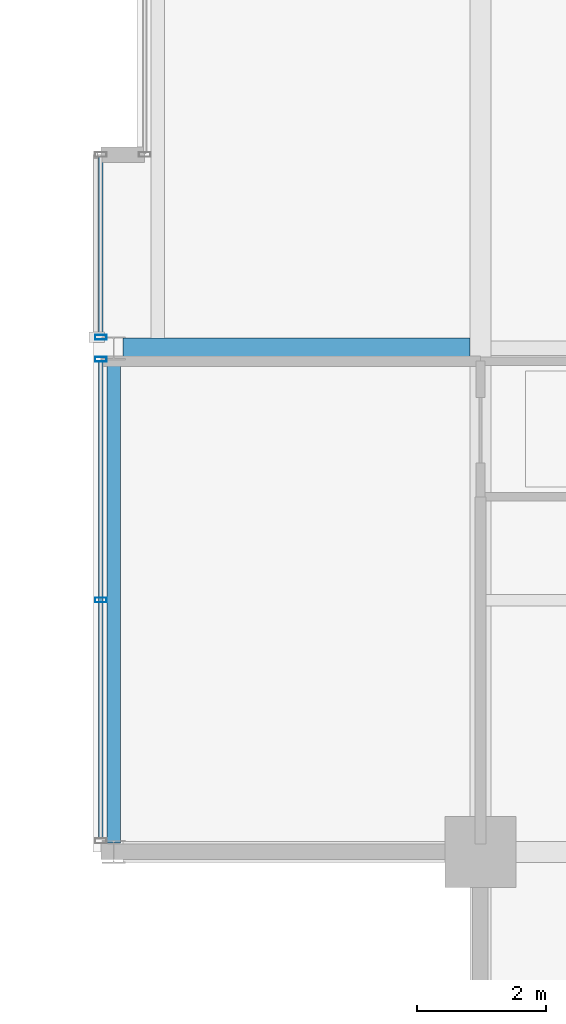
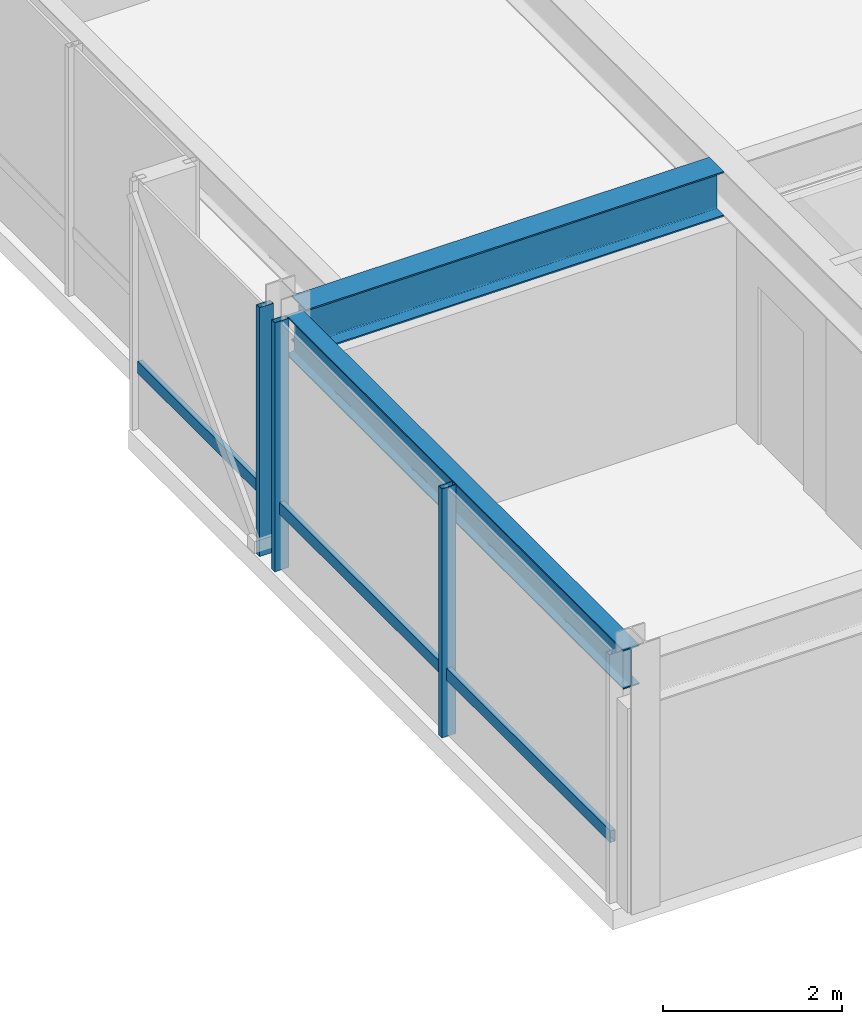
# One storey, part 5 of 33: 5 members, 2 beams, 2 elements without a shape of their own.
"""IFC4 building model written with IfcOpenShell, lengths in metres."""

from ifc_helpers import new_model, si_unit, direction, frame, origin, origin_2d, place, context, subcontext, project, spatial, hollow_rectangle, i_section, extrude, material, layer, layer_set, material_profile, profile_set, type_object, element, aggregate, save


model = new_model("IFC4")

# Units and contexts
model_context = context("Model", 3, precision=1e-05, world=origin(), true_north=direction((0.0, 1.0)))
body_context = subcontext(model_context, "Body", "Model", "MODEL_VIEW")
ifc_project = project(units=[si_unit("LENGTHUNIT", "METRE"), si_unit("AREAUNIT", "SQUARE_METRE"), si_unit("VOLUMEUNIT", "CUBIC_METRE"), si_unit("PLANEANGLEUNIT", "RADIAN"), si_unit("MASSUNIT", "GRAM", prefix="KILO")], contexts=[model_context])

# Site, building, storey
site_placement = place(None, origin())
site = spatial("IfcSite", under=ifc_project, at=site_placement, CompositionType="ELEMENT")
building_placement = place(site_placement, origin())
building = spatial("IfcBuilding", under=site, at=building_placement, Name="Drelvath Grand Hotel", CompositionType="ELEMENT")
storey_placement = place(building_placement, frame((0.0, 0.0, 275.949951171875)))
storey = spatial("IfcBuildingStorey", under=building, at=storey_placement, Name="L72", CompositionType="ELEMENT", Elevation=275.949951171875)

# Curtain wall, member
ifc_material_1 = material(Name="Platinum-Mist Anodised Aluminium Frame", Category="aluminium")
ifc_layer = layer(ifc_material_1, 0.199951171875)
ifc_layer_set = layer_set([ifc_layer], Name="Platinum-Mist Anodised Aluminium Frame")
curtain_wall_type = type_object("IfcCurtainWallType", Name="Stick Curtain Wall CW-05 Platinum Mist High-Rise", PredefinedType="NOTDEFINED", material=ifc_layer_set)
curtain_wall_1_placement = place(storey_placement, origin())
curtain_wall_1 = element("IfcCurtainWall", 1, at=curtain_wall_1_placement, inside=storey, type_object=curtain_wall_type, Name="L72 CW-05 Curtain Wall CW05-L72-WS1", PredefinedType="NOTDEFINED")
ifc_material_profile_1 = material_profile(ifc_material_1, hollow_rectangle(XDim=0.06494140625, YDim=0.159912109375, WallThickness=0.00390625, at=origin_2d()), Name="HSS160X65X4")
ifc_profile_set_1 = profile_set([ifc_material_profile_1], Name="Platinum-Mist Anodised Aluminium Frame")
member_type_1 = type_object("IfcMemberType", Name="Curtain Wall Horizontal Transom CW-05 HSS160X65X4", PredefinedType="USERDEFINED", material=ifc_profile_set_1)
member_1_placement = place(storey_placement, frame((-22.080078125, 11.010009765625, 0.84765625), z_axis=(0.0, 1.0, 0.0), x_axis=(-1.0, 0.0, 0.0)))
member_1 = element("IfcMember", 2, at=member_1_placement, type_object=member_type_1, Name="CW05-L72-WS1 Sill Transom", ObjectType="TRANSOM", PredefinedType="USERDEFINED", context=body_context, shape_type="SweptSolid", body=[
    extrude(hollow_rectangle(XDim=0.06494140625, YDim=0.159912109375, WallThickness=0.00390625, at=origin_2d()), origin(), (0.0, 0.0, 1.0), 7.3798828125),
])

curtain_wall_2_placement = place(storey_placement, origin())
curtain_wall_2 = element("IfcCurtainWall", 3, at=curtain_wall_2_placement, inside=storey, type_object=curtain_wall_type, Name="L72 CW-05 Curtain Wall CW05-L72-WS2", PredefinedType="NOTDEFINED")
member_2_placement = place(storey_placement, frame((-22.080078125, 18.81005859375, 0.84765625), z_axis=(0.0, 1.0, 0.0), x_axis=(-1.0, 0.0, 0.0)))
member_2 = element("IfcMember", 4, at=member_2_placement, type_object=member_type_1, Name="CW05-L72-WS2 Sill Transom", ObjectType="TRANSOM", PredefinedType="USERDEFINED", context=body_context, shape_type="SweptSolid", body=[
    extrude(hollow_rectangle(XDim=0.06494140625, YDim=0.159912109375, WallThickness=0.00390625, at=origin_2d()), origin(), (0.0, 0.0, 1.0), 2.75),
])

# Member
ifc_material_profile_2 = material_profile(ifc_material_1, hollow_rectangle(XDim=0.074951171875, YDim=0.179931640625, WallThickness=0.0048828125, at=origin_2d()), Name="HSS180X75X5")
ifc_profile_set_2 = profile_set([ifc_material_profile_2], Name="Platinum-Mist Anodised Aluminium Frame")
member_type_2 = type_object("IfcMemberType", Name="Curtain Wall Vertical Mullion CW-05 HSS180X75X5", PredefinedType="MULLION", material=ifc_profile_set_2)
member_3_placement = place(storey_placement, frame((-22.080078125, 14.7001953125, 0.0), z_axis=(0.0, 0.0, 1.0), x_axis=(0.0, 1.0, 0.0)))
member_3 = element("IfcMember", 5, at=member_3_placement, type_object=member_type_2, Name="CW05-L72-WS1 Mullion 2", PredefinedType="MULLION", context=body_context, shape_type="SweptSolid", body=[
    extrude(hollow_rectangle(XDim=0.074951171875, YDim=0.179931640625, WallThickness=0.0048828125, at=origin_2d()), origin(), (0.0, 0.0, 1.0), 3.39013671875),
])

member_4_placement = place(storey_placement, frame((-22.080078125, 18.429931640625, 0.0), z_axis=(0.0, 0.0, 1.0), x_axis=(0.0, 1.0, 0.0)))
member_4 = element("IfcMember", 6, at=member_4_placement, type_object=member_type_2, Name="CW05-L72-WS1 Mullion 3", PredefinedType="MULLION", context=body_context, shape_type="SweptSolid", body=[
    extrude(hollow_rectangle(XDim=0.074951171875, YDim=0.179931640625, WallThickness=0.0048828125, at=origin_2d()), origin(), (0.0, 0.0, 1.0), 3.39013671875),
])

aggregate(curtain_wall_1, [member_3, member_4, member_1])

member_5_placement = place(storey_placement, frame((-22.080078125, 18.77001953125, 0.0), z_axis=(0.0, 0.0, 1.0), x_axis=(0.0, 1.0, 0.0)))
member_5 = element("IfcMember", 7, at=member_5_placement, type_object=member_type_2, Name="CW05-L72-WS2 Mullion 1", PredefinedType="MULLION", context=body_context, shape_type="SweptSolid", body=[
    extrude(hollow_rectangle(XDim=0.074951171875, YDim=0.179931640625, WallThickness=0.0048828125, at=origin_2d()), origin(), (0.0, 0.0, 1.0), 3.39013671875),
])

aggregate(curtain_wall_2, [member_5, member_2])

# Beams
ifc_material_2 = material(Name="Steel ASTM A992 Gr 50", Category="steel")
ifc_material_profile_3 = material_profile(ifc_material_2, i_section(OverallWidth=0.210205078125, OverallDepth=0.53662109375, WebThickness=0.010986328125, FlangeThickness=0.017333984375, FilletRadius=0.01806640625, at=origin_2d()), Name="W21X68")
ifc_profile_set_3 = profile_set([ifc_material_profile_3], Name="Steel ASTM A992 Gr 50")
beam_type_1 = type_object("IfcBeamType", Name="Perimeter Spandrel Beam W21X68", PredefinedType="SPANDREL", material=ifc_profile_set_3)
beam_1_placement = place(storey_placement, frame((-21.8798828125, 10.93994140625, 3.12158203125), z_axis=(0.0, 1.0, 0.0), x_axis=(-1.0, 0.0, 0.0)))
element("IfcBeam", 8, at=beam_1_placement, inside=storey, type_object=beam_type_1, Name="L72 Spandrel West S", PredefinedType="SPANDREL", context=body_context, shape_type="SweptSolid", body=[
    extrude(i_section(OverallWidth=0.210205078125, OverallDepth=0.53662109375, WebThickness=0.010986328125, FlangeThickness=0.017333984375, FilletRadius=0.01806640625, at=origin_2d()), origin(), (0.0, 0.0, 1.0), 7.52001953125),
])
ifc_material_profile_4 = material_profile(ifc_material_2, i_section(OverallWidth=0.323974609375, OverallDepth=0.611083984375, WebThickness=0.0126953125, FlangeThickness=0.01904296875, FilletRadius=0.02197265625, at=origin_2d()), Name="W24X104")
ifc_profile_set_4 = profile_set([ifc_material_profile_4], Name="Steel ASTM A992 Gr 50")
beam_type_2 = type_object("IfcBeamType", Name="Primary Floor Girder W24X104", PredefinedType="BEAM", material=ifc_profile_set_4)
beam_2_placement = place(storey_placement, frame((-21.739990234375, 18.60009765625, 3.08447265625), z_axis=(1.0, 0.0, 0.0), x_axis=(0.0, 1.0, 0.0)))
element("IfcBeam", 9, at=beam_2_placement, inside=storey, type_object=beam_type_2, Name="L72 West Wing Girder D", PredefinedType="BEAM", context=body_context, shape_type="SweptSolid", body=[
    extrude(i_section(OverallWidth=0.323974609375, OverallDepth=0.611083984375, WebThickness=0.0126953125, FlangeThickness=0.01904296875, FilletRadius=0.02197265625, at=origin_2d()), origin(), (0.0, 0.0, 1.0), 5.3779296875),
])

save(model, "model.ifc")
